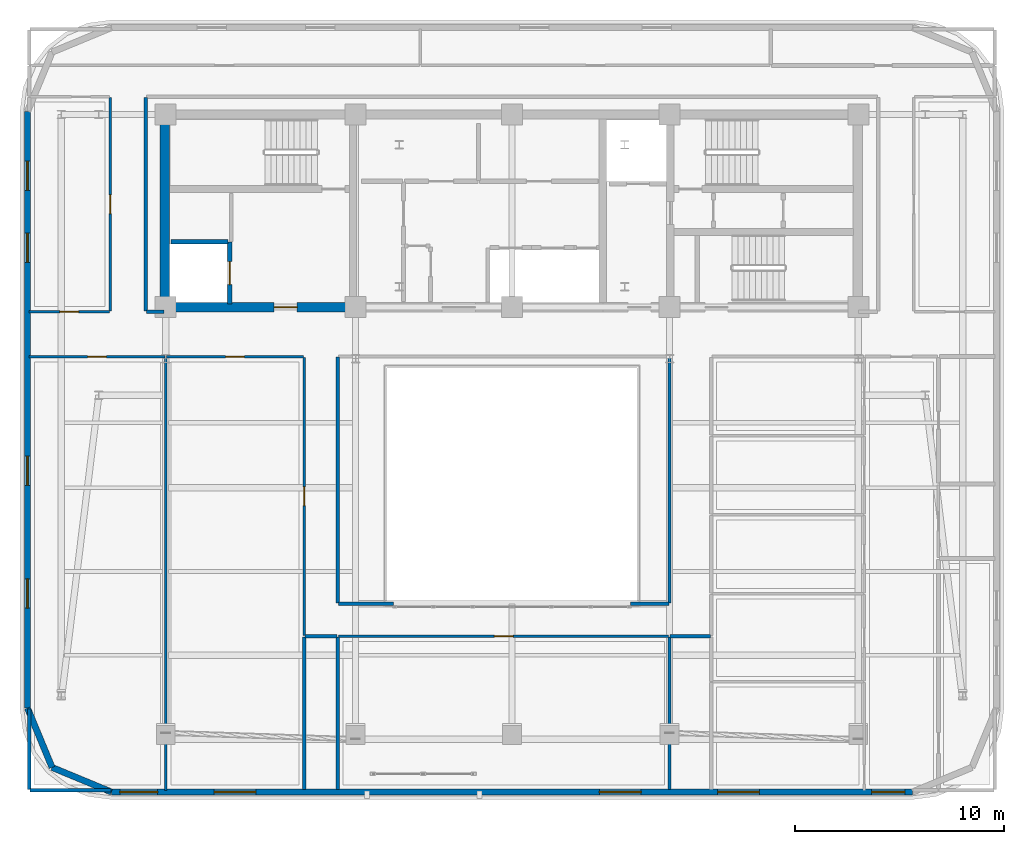
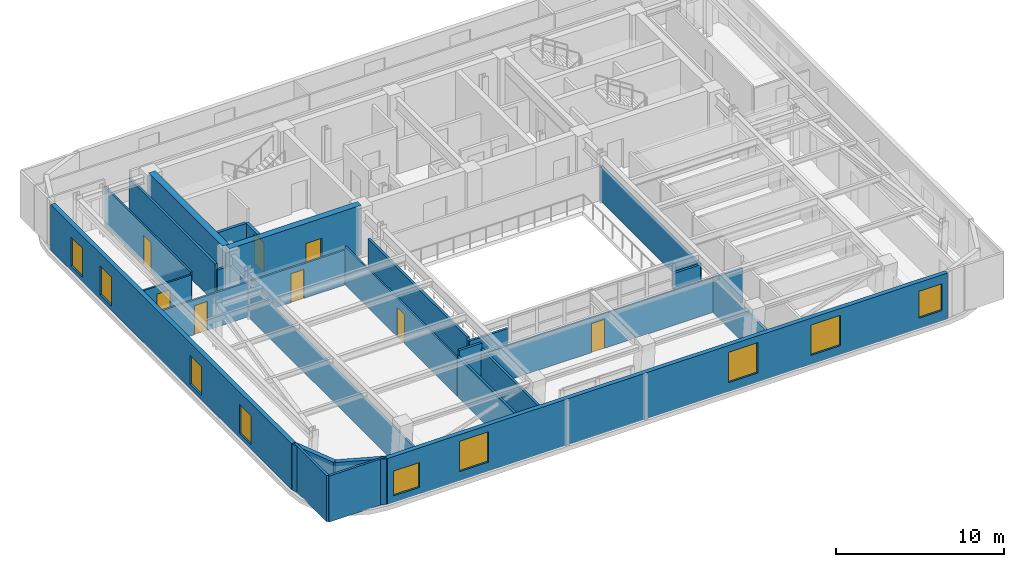
# One storey, part 6 of 13: 28 walls, 9 windows, 8 doors, 17 openings.
"""IFC4 building model written with IfcOpenShell, lengths in metres."""

from ifc_helpers import new_model, si_unit, direction, frame, frame_2d, origin, place, context, subcontext, project, spatial, rectangle, extrude, material, layer, layer_set, type_object, element, fill, save


model = new_model("IFC4")

# Units and contexts
model_context = context("Model", 3, precision=1e-05, world=origin(), true_north=direction((0.0, 1.0)))
body_context = subcontext(model_context, "Body", "Model", "MODEL_VIEW")
ifc_project = project(units=[si_unit("LENGTHUNIT", "METRE"), si_unit("AREAUNIT", "SQUARE_METRE"), si_unit("VOLUMEUNIT", "CUBIC_METRE"), si_unit("PLANEANGLEUNIT", "RADIAN"), si_unit("MASSUNIT", "GRAM", prefix="KILO")], contexts=[model_context])

# Site, building, storey
site_placement = place(None, origin())
site = spatial("IfcSite", under=ifc_project, at=site_placement, CompositionType="ELEMENT")
building_placement = place(site_placement, origin())
building = spatial("IfcBuilding", under=site, at=building_placement, Name="Zarnavel Station Tower", CompositionType="ELEMENT")
storey_placement = place(building_placement, frame((0.0, 0.0, 207.60009765625)))
storey = spatial("IfcBuildingStorey", under=building, at=storey_placement, Name="L56", CompositionType="ELEMENT", Elevation=207.60009765625)

# Wall, opening, door
ifc_material_1 = material(Name="Concrete C50/60", Category="concrete")
ifc_layer_1 = layer(ifc_material_1, 0.449951171875)
ifc_layer_set_1 = layer_set([ifc_layer_1], Name="CW_450")
wall_type_1 = type_object("IfcWallType", Name="CW_450", PredefinedType="SHEAR", material=ifc_layer_set_1)
wall_1_placement = place(storey_placement, frame((21.179931640625, 27.820068359375, 0.0), z_axis=(0.0, 0.0, 1.0), x_axis=(-1.0, 0.0, 0.0)))
wall_1 = element("IfcWall", 1, at=wall_1_placement, inside=storey, type_object=wall_type_1, Name="L56 Rear Core Shear Wall S-W", PredefinedType="SHEAR", context=body_context, shape_type="SweptSolid", body=[
    extrude(rectangle(XDim=9.030029296875, YDim=0.449951171875, at=frame_2d((4.51513671875, 0.0))), origin(), (0.0, 0.0, 1.0), 3.599853515625),
])
opening_1_placement = place(wall_1_placement, frame((2.679931640625, 0.0, 0.0)))
opening_1 = element("IfcOpeningElement", 2, at=opening_1_placement, cuts=wall_1, Name="Opening FD01", PredefinedType="OPENING", context=body_context, shape_type="SweptSolid", body=[
    extrude(rectangle(XDim=1.10009765625, YDim=2.14990234375, at=frame_2d((0.550048828125, 1.074951171875))), frame((0.0, 0.23486328125, 0.0), z_axis=(0.0, -1.0, 0.0), x_axis=(1.0, 0.0, 0.0)), (0.0, 0.0, 1.0), 0.469970703125),
])
ifc_material_2 = material(Name="Painted Galvanised Steel and Hardwood Leaf", Category="steel")
door_type_1 = type_object("IfcDoorType", Name="ID_STAIR_1100", OperationType="NOTDEFINED", PredefinedType="DOOR", material=ifc_material_2)
door_1_placement = place(opening_1_placement, origin())
door_1 = element("IfcDoor", 3, at=door_1_placement, inside=storey, type_object=door_type_1, Name="L56 West Firefighting Lobby Door", OperationType="SINGLE_SWING_RIGHT", OverallHeight=2.14990234375, OverallWidth=1.10009765625, PredefinedType="DOOR", context=body_context, shape_type="SweptSolid", body=[
    extrude(rectangle(XDim=1.10009765625, YDim=2.14990234375, at=frame_2d((0.550048828125, 1.074951171875))), frame((0.0, 0.02490234375, 0.0), z_axis=(0.0, -1.0, 0.0), x_axis=(1.0, 0.0, 0.0)), (0.0, 0.0, 1.0), 0.050048828125),
])
fill(opening_1, door_1)

# Wall
wall_2_placement = place(storey_placement, frame((12.14990234375, 28.044921875, 0.0), z_axis=(0.0, 0.0, 1.0), x_axis=(0.0, 1.0, 0.0)))
element("IfcWall", 4, at=wall_2_placement, inside=storey, type_object=wall_type_1, Name="L56 Rear Core Shear Wall W", PredefinedType="SHEAR", context=body_context, shape_type="SweptSolid", body=[
    extrude(rectangle(XDim=8.780029296875, YDim=0.449951171875, at=frame_2d((4.39013671875, 0.0))), origin(), (0.0, 0.0, 1.0), 3.599853515625),
])

# Wall, openings, windows
ifc_material_3 = material(Name="Precast concrete C45/55 (Dark Basalt Finish)", Category="masonry")
ifc_layer_2 = layer(ifc_material_3, 0.300048828125)
ifc_layer_set_2 = layer_set([ifc_layer_2], Name="EW_BASALT_300")
wall_type_2 = type_object("IfcWallType", Name="EW_BASALT_300", PredefinedType="SOLIDWALL", material=ifc_layer_set_2)
wall_3_placement = place(storey_placement, frame((5.580078125, 8.60009765625, 0.0), z_axis=(0.0, 0.0, 1.0), x_axis=(0.0, 1.0, 0.0)))
wall_3 = element("IfcWall", 5, at=wall_3_placement, inside=storey, type_object=wall_type_2, Name="L56 Exterior Basalt Masonry Frame Wall 09", PredefinedType="SOLIDWALL", context=body_context, shape_type="SweptSolid", body=[
    extrude(rectangle(XDim=28.599853515625, YDim=0.300048828125, at=frame_2d((14.2998046875, 0.0))), origin(), (0.0, 0.0, 1.0), 3.33984375),
])
opening_2_placement = place(wall_3_placement, frame((21.360107421875, 0.0, 0.340087890625)))
opening_2 = element("IfcOpeningElement", 6, at=opening_2_placement, cuts=wall_3, Name="Opening WN04", PredefinedType="OPENING", context=body_context, shape_type="SweptSolid", body=[
    extrude(rectangle(XDim=1.39990234375, YDim=2.10009765625, at=frame_2d((0.699951171875, 1.050048828125))), frame((0.0, 0.159912109375, 0.0), z_axis=(0.0, -1.0, 0.0), x_axis=(1.0, 0.0, 0.0)), (0.0, 0.0, 1.0), 0.320068359375),
])
opening_3_placement = place(wall_3_placement, frame((24.820068359375, 0.0, 0.340087890625)))
opening_3 = element("IfcOpeningElement", 7, at=opening_3_placement, cuts=wall_3, Name="Opening WN04", PredefinedType="OPENING", context=body_context, shape_type="SweptSolid", body=[
    extrude(rectangle(XDim=1.39990234375, YDim=2.10009765625, at=frame_2d((0.699951171875, 1.050048828125))), frame((0.0, 0.159912109375, 0.0), z_axis=(0.0, -1.0, 0.0), x_axis=(1.0, 0.0, 0.0)), (0.0, 0.0, 1.0), 0.320068359375),
])
opening_4_placement = place(wall_3_placement, frame((4.796630859375, 0.0, 0.340087890625)))
opening_4 = element("IfcOpeningElement", 8, at=opening_4_placement, cuts=wall_3, Name="Opening WN04", PredefinedType="OPENING", context=body_context, shape_type="SweptSolid", body=[
    extrude(rectangle(XDim=1.39990234375, YDim=2.10009765625, at=frame_2d((0.699951171875, 1.050048828125))), frame((0.0, 0.159912109375, 0.0), z_axis=(0.0, -1.0, 0.0), x_axis=(1.0, 0.0, 0.0)), (0.0, 0.0, 1.0), 0.320068359375),
])
opening_5_placement = place(wall_3_placement, frame((10.67333984375, 0.0, 0.340087890625)))
opening_5 = element("IfcOpeningElement", 9, at=opening_5_placement, cuts=wall_3, Name="Opening WN04", PredefinedType="OPENING", context=body_context, shape_type="SweptSolid", body=[
    extrude(rectangle(XDim=1.39990234375, YDim=2.10009765625, at=frame_2d((0.699951171875, 1.050048828125))), frame((0.0, 0.159912109375, 0.0), z_axis=(0.0, -1.0, 0.0), x_axis=(1.0, 0.0, 0.0)), (0.0, 0.0, 1.0), 0.320068359375),
])
ifc_material_4 = material(Name="Thermally Broken Black Aluminium and Low-E Dark Glass", Category="aluminium")
window_type_1 = type_object("IfcWindowType", Name="WN_1400x2100", PartitioningType="DOUBLE_PANEL_VERTICAL", PredefinedType="WINDOW", material=ifc_material_4)
window_1_placement = place(opening_2_placement, origin())
window_1 = element("IfcWindow", 10, at=window_1_placement, inside=storey, type_object=window_type_1, Name="L56 Recessed Facade Window 01", OverallHeight=2.10009765625, OverallWidth=1.39990234375, PartitioningType="SINGLE_PANEL", PredefinedType="WINDOW", context=body_context, shape_type="SweptSolid", body=[
    extrude(rectangle(XDim=1.39990234375, YDim=2.10009765625, at=frame_2d((0.699951171875, 1.050048828125))), frame((0.0, 0.030029296875, 0.0), z_axis=(0.0, -1.0, 0.0), x_axis=(1.0, 0.0, 0.0)), (0.0, 0.0, 1.0), 0.06005859375),
])
fill(opening_2, window_1)
window_2_placement = place(opening_3_placement, origin())
window_2 = element("IfcWindow", 11, at=window_2_placement, inside=storey, type_object=window_type_1, Name="L56 Recessed Facade Window 02", OverallHeight=2.10009765625, OverallWidth=1.39990234375, PartitioningType="SINGLE_PANEL", PredefinedType="WINDOW", context=body_context, shape_type="SweptSolid", body=[
    extrude(rectangle(XDim=1.39990234375, YDim=2.10009765625, at=frame_2d((0.699951171875, 1.050048828125))), frame((0.0, 0.030029296875, 0.0), z_axis=(0.0, -1.0, 0.0), x_axis=(1.0, 0.0, 0.0)), (0.0, 0.0, 1.0), 0.06005859375),
])
fill(opening_3, window_2)
window_3_placement = place(opening_4_placement, origin())
window_3 = element("IfcWindow", 12, at=window_3_placement, inside=storey, type_object=window_type_1, Name="L56 Recessed Facade Window 03", OverallHeight=2.10009765625, OverallWidth=1.39990234375, PartitioningType="SINGLE_PANEL", PredefinedType="WINDOW", context=body_context, shape_type="SweptSolid", body=[
    extrude(rectangle(XDim=1.39990234375, YDim=2.10009765625, at=frame_2d((0.699951171875, 1.050048828125))), frame((0.0, 0.030029296875, 0.0), z_axis=(0.0, -1.0, 0.0), x_axis=(1.0, 0.0, 0.0)), (0.0, 0.0, 1.0), 0.06005859375),
])
fill(opening_4, window_3)
window_4_placement = place(opening_5_placement, origin())
window_4 = element("IfcWindow", 13, at=window_4_placement, inside=storey, type_object=window_type_1, Name="L56 Recessed Facade Window 04", OverallHeight=2.10009765625, OverallWidth=1.39990234375, PartitioningType="SINGLE_PANEL", PredefinedType="WINDOW", context=body_context, shape_type="SweptSolid", body=[
    extrude(rectangle(XDim=1.39990234375, YDim=2.10009765625, at=frame_2d((0.699951171875, 1.050048828125))), frame((0.0, 0.030029296875, 0.0), z_axis=(0.0, -1.0, 0.0), x_axis=(1.0, 0.0, 0.0)), (0.0, 0.0, 1.0), 0.06005859375),
])
fill(opening_5, window_4)

# Walls
for number, where, z_axis, x_axis, name in (
    (14, (6.75732421875, 5.75732421875, 0.0), (0.0, 0.0, 1.0), (-0.382608747773, 0.923910464346, 0.0), "L56 Exterior Basalt Masonry Frame Wall 10"),
    (15, (9.60009765625, 4.580078125, 0.0), (0.0, 0.0, 1.0), (-0.923910464346, 0.382608747773, 0.0), "L56 Exterior Basalt Masonry Frame Wall 11"),
):
    element("IfcWall", number, at=place(storey_placement, frame(where, z_axis=z_axis, x_axis=x_axis)), inside=storey, type_object=wall_type_2, Name=name, PredefinedType="SOLIDWALL", context=body_context, shape_type="SweptSolid", body=[
        extrude(rectangle(XDim=3.076904296875, YDim=0.300048828125, at=frame_2d((1.53857421875, 0.0))), origin(), (0.0, 0.0, 1.0), 3.33984375),
    ])

# Wall, openings, windows
wall_4_placement = place(storey_placement, frame((48.0, 4.580078125, 0.0), z_axis=(0.0, 0.0, 1.0), x_axis=(-1.0, 0.0, 0.0)))
wall_4 = element("IfcWall", 16, at=wall_4_placement, inside=storey, type_object=wall_type_2, Name="L56 Exterior Basalt Masonry Frame Wall 12", PredefinedType="SOLIDWALL", context=body_context, shape_type="SweptSolid", body=[
    extrude(rectangle(XDim=38.39990234375, YDim=0.300048828125, at=frame_2d((19.199951171875, 0.0))), origin(), (0.0, 0.0, 1.0), 3.33984375),
])
opening_6_placement = place(wall_4_placement, frame((36.18994140625, 0.0, 0.47998046875)))
opening_6 = element("IfcOpeningElement", 17, at=opening_6_placement, cuts=wall_4, Name="Opening WN02", PredefinedType="OPENING", context=body_context, shape_type="SweptSolid", body=[
    extrude(rectangle(XDim=1.800048828125, YDim=1.800048828125, at=frame_2d((0.89990234375, 0.89990234375))), frame((0.0, 0.159912109375, 0.0), z_axis=(0.0, -1.0, 0.0), x_axis=(1.0, 0.0, 0.0)), (0.0, 0.0, 1.0), 0.320068359375),
])
opening_7_placement = place(wall_4_placement, frame((31.47509765625, 0.0, 0.64990234375)))
opening_7 = element("IfcOpeningElement", 18, at=opening_7_placement, cuts=wall_4, Name="Opening WN07", PredefinedType="OPENING", context=body_context, shape_type="SweptSolid", body=[
    extrude(rectangle(XDim=2.0, YDim=2.199951171875, at=frame_2d((1.0, 1.10009765625))), frame((0.0, 0.159912109375, 0.0), z_axis=(0.0, -1.0, 0.0), x_axis=(1.0, 0.0, 0.0)), (0.0, 0.0, 1.0), 0.320068359375),
])
opening_8_placement = place(wall_4_placement, frame((13.013916015625, 0.0, 0.64990234375)))
opening_8 = element("IfcOpeningElement", 19, at=opening_8_placement, cuts=wall_4, Name="Opening WN07", PredefinedType="OPENING", context=body_context, shape_type="SweptSolid", body=[
    extrude(rectangle(XDim=2.0, YDim=2.199951171875, at=frame_2d((1.0, 1.10009765625))), frame((0.0, 0.159912109375, 0.0), z_axis=(0.0, -1.0, 0.0), x_axis=(1.0, 0.0, 0.0)), (0.0, 0.0, 1.0), 0.320068359375),
])
opening_9_placement = place(wall_4_placement, frame((0.369384765625, 0.0, 0.75)))
opening_9 = element("IfcOpeningElement", 20, at=opening_9_placement, cuts=wall_4, Name="Opening WN06", PredefinedType="OPENING", context=body_context, shape_type="SweptSolid", body=[
    extrude(rectangle(XDim=1.60009765625, YDim=1.949951171875, at=frame_2d((0.800048828125, 0.97509765625))), frame((0.0, 0.159912109375, 0.0), z_axis=(0.0, -1.0, 0.0), x_axis=(1.0, 0.0, 0.0)), (0.0, 0.0, 1.0), 0.320068359375),
])
opening_10_placement = place(wall_4_placement, frame((7.35009765625, 0.0, 0.64990234375)))
opening_10 = element("IfcOpeningElement", 21, at=opening_10_placement, cuts=wall_4, Name="Opening WN07", PredefinedType="OPENING", context=body_context, shape_type="SweptSolid", body=[
    extrude(rectangle(XDim=2.0, YDim=2.199951171875, at=frame_2d((1.0, 1.10009765625))), frame((0.0, 0.159912109375, 0.0), z_axis=(0.0, -1.0, 0.0), x_axis=(1.0, 0.0, 0.0)), (0.0, 0.0, 1.0), 0.320068359375),
])
ifc_material_5 = material(Name="Thermally Broken Black Aluminium and Low-E Dark Glass", Category="aluminium")
window_type_2 = type_object("IfcWindowType", Name="WN_1600x1950", PartitioningType="DOUBLE_PANEL_VERTICAL", PredefinedType="WINDOW", material=ifc_material_5)
window_5_placement = place(opening_9_placement, origin())
window_5 = element("IfcWindow", 22, at=window_5_placement, inside=storey, type_object=window_type_2, Name="L56 Recessed Facade Window 04", OverallHeight=1.949951171875, OverallWidth=1.60009765625, PartitioningType="SINGLE_PANEL", PredefinedType="WINDOW", context=body_context, shape_type="SweptSolid", body=[
    extrude(rectangle(XDim=1.60009765625, YDim=1.949951171875, at=frame_2d((0.800048828125, 0.97509765625))), frame((0.0, 0.030029296875, 0.0), z_axis=(0.0, -1.0, 0.0), x_axis=(1.0, 0.0, 0.0)), (0.0, 0.0, 1.0), 0.06005859375),
])
fill(opening_9, window_5)
ifc_material_6 = material(Name="Thermally Broken Black Aluminium and Low-E Dark Glass", Category="aluminium")
window_type_3 = type_object("IfcWindowType", Name="WN_1800x1800", PartitioningType="DOUBLE_PANEL_VERTICAL", PredefinedType="WINDOW", material=ifc_material_6)
window_6_placement = place(opening_6_placement, origin())
window_6 = element("IfcWindow", 23, at=window_6_placement, inside=storey, type_object=window_type_3, Name="L56 Recessed Facade Window 01", OverallHeight=1.800048828125, OverallWidth=1.800048828125, PartitioningType="SINGLE_PANEL", PredefinedType="WINDOW", context=body_context, shape_type="SweptSolid", body=[
    extrude(rectangle(XDim=1.800048828125, YDim=1.800048828125, at=frame_2d((0.89990234375, 0.89990234375))), frame((0.0, 0.030029296875, 0.0), z_axis=(0.0, -1.0, 0.0), x_axis=(1.0, 0.0, 0.0)), (0.0, 0.0, 1.0), 0.06005859375),
])
fill(opening_6, window_6)
ifc_material_7 = material(Name="Thermally Broken Black Aluminium and Low-E Dark Glass", Category="aluminium")
window_type_4 = type_object("IfcWindowType", Name="WN_2000x2200", PartitioningType="TRIPLE_PANEL_VERTICAL", PredefinedType="WINDOW", material=ifc_material_7)
window_7_placement = place(opening_7_placement, origin())
window_7 = element("IfcWindow", 24, at=window_7_placement, inside=storey, type_object=window_type_4, Name="L56 Recessed Facade Window 02", OverallHeight=2.199951171875, OverallWidth=2.0, PartitioningType="SINGLE_PANEL", PredefinedType="WINDOW", context=body_context, shape_type="SweptSolid", body=[
    extrude(rectangle(XDim=2.0, YDim=2.199951171875, at=frame_2d((1.0, 1.10009765625))), frame((0.0, 0.030029296875, 0.0), z_axis=(0.0, -1.0, 0.0), x_axis=(1.0, 0.0, 0.0)), (0.0, 0.0, 1.0), 0.06005859375),
])
fill(opening_7, window_7)
window_8_placement = place(opening_8_placement, origin())
window_8 = element("IfcWindow", 25, at=window_8_placement, inside=storey, type_object=window_type_4, Name="L56 Recessed Facade Window 03", OverallHeight=2.199951171875, OverallWidth=2.0, PartitioningType="SINGLE_PANEL", PredefinedType="WINDOW", context=body_context, shape_type="SweptSolid", body=[
    extrude(rectangle(XDim=2.0, YDim=2.199951171875, at=frame_2d((1.0, 1.10009765625))), frame((0.0, 0.030029296875, 0.0), z_axis=(0.0, -1.0, 0.0), x_axis=(1.0, 0.0, 0.0)), (0.0, 0.0, 1.0), 0.06005859375),
])
fill(opening_8, window_8)
window_9_placement = place(opening_10_placement, origin())
window_9 = element("IfcWindow", 26, at=window_9_placement, inside=storey, type_object=window_type_4, Name="L56 Recessed Facade Window 05", OverallHeight=2.199951171875, OverallWidth=2.0, PartitioningType="SINGLE_PANEL", PredefinedType="WINDOW", context=body_context, shape_type="SweptSolid", body=[
    extrude(rectangle(XDim=2.0, YDim=2.199951171875, at=frame_2d((1.0, 1.10009765625))), frame((0.0, 0.030029296875, 0.0), z_axis=(0.0, -1.0, 0.0), x_axis=(1.0, 0.0, 0.0)), (0.0, 0.0, 1.0), 0.06005859375),
])
fill(opening_10, window_9)

# Walls
ifc_material_8 = material(Name="Gypsum Twin-Stud Acoustic Fire Partition", Category="concrete")
ifc_layer_3 = layer(ifc_material_8, 0.159912109375)
ifc_layer_set_3 = layer_set([ifc_layer_3], Name="PT_DEMISE_160")
wall_type_3 = type_object("IfcWallType", Name="PT_DEMISE_160", PredefinedType="PARTITIONING", material=ifc_layer_set_3)
wall_5_placement = place(storey_placement, frame((11.280029296875, 27.60009765625, 0.0), z_axis=(0.0, 0.0, 1.0), x_axis=(1.0, 0.0, 0.0)))
element("IfcWall", 27, at=wall_5_placement, inside=storey, type_object=wall_type_3, Name="L56 Enclosure Wall COR-S", PredefinedType="PARTITIONING", context=body_context, shape_type="SweptSolid", body=[
    extrude(rectangle(XDim=0.840087890625, YDim=0.159912109375, at=frame_2d((0.419921875, 0.0))), origin(), (0.0, 0.0, 1.0), 2.409912109375),
])
wall_6_placement = place(storey_placement, frame((18.8798828125, 12.050048828125, 0.0), z_axis=(0.0, 0.0, 1.0), x_axis=(1.0, 0.0, 0.0)))
element("IfcWall", 28, at=wall_6_placement, inside=storey, type_object=wall_type_3, Name="L56 Enclosure Wall COR-AW", PredefinedType="PARTITIONING", context=body_context, shape_type="SweptSolid", body=[
    extrude(rectangle(XDim=1.5400390625, YDim=0.159912109375, at=frame_2d((0.77001953125, 0.0))), origin(), (0.0, 0.0, 1.0), 3.33984375),
])
wall_7_placement = place(storey_placement, frame((20.449951171875, 13.6298828125, 0.0), z_axis=(0.0, 0.0, 1.0), x_axis=(0.0, 1.0, 0.0)))
element("IfcWall", 29, at=wall_7_placement, inside=storey, type_object=wall_type_3, Name="L56 Enclosure Wall COR-AW", PredefinedType="PARTITIONING", context=body_context, shape_type="SweptSolid", body=[
    extrude(rectangle(XDim=11.7900390625, YDim=0.159912109375, at=frame_2d((5.89501953125, 0.0))), origin(), (0.0, 0.0, 1.0), 2.77001953125),
])
wall_8_placement = place(storey_placement, frame((36.3798828125, 12.050048828125, 0.0), z_axis=(0.0, 0.0, 1.0), x_axis=(1.0, 0.0, 0.0)))
element("IfcWall", 30, at=wall_8_placement, inside=storey, type_object=wall_type_3, Name="L56 Enclosure Wall COR-AE", PredefinedType="PARTITIONING", context=body_context, shape_type="SweptSolid", body=[
    extrude(rectangle(XDim=1.940185546875, YDim=0.159912109375, at=frame_2d((0.97021484375, 0.0))), origin(), (0.0, 0.0, 1.0), 2.52001953125),
])
wall_9_placement = place(storey_placement, frame((36.35009765625, 13.6298828125, 0.0), z_axis=(0.0, 0.0, 1.0), x_axis=(0.0, 1.0, 0.0)))
element("IfcWall", 31, at=wall_9_placement, inside=storey, type_object=wall_type_3, Name="L56 Enclosure Wall COR-AE", PredefinedType="PARTITIONING", context=body_context, shape_type="SweptSolid", body=[
    extrude(rectangle(XDim=11.7900390625, YDim=0.159912109375, at=frame_2d((5.89501953125, 0.0))), origin(), (0.0, 0.0, 1.0), 2.52001953125),
])
wall_10_placement = place(storey_placement, frame((20.47998046875, 13.60009765625, 0.0), z_axis=(0.0, 0.0, 1.0), x_axis=(1.0, 0.0, 0.0)))
element("IfcWall", 32, at=wall_10_placement, inside=storey, type_object=wall_type_3, Name="L56 Enclosure Wall COR-AS", PredefinedType="PARTITIONING", context=body_context, shape_type="SweptSolid", body=[
    extrude(rectangle(XDim=2.64013671875, YDim=0.159912109375, at=frame_2d((1.320068359375, 0.0))), origin(), (0.0, 0.0, 1.0), 2.52001953125),
])
wall_11_placement = place(storey_placement, frame((34.47998046875, 13.60009765625, 0.0), z_axis=(0.0, 0.0, 1.0), x_axis=(1.0, 0.0, 0.0)))
element("IfcWall", 33, at=wall_11_placement, inside=storey, type_object=wall_type_3, Name="L56 Enclosure Wall COR-AS", PredefinedType="PARTITIONING", context=body_context, shape_type="SweptSolid", body=[
    extrude(rectangle(XDim=1.840087890625, YDim=0.159912109375, at=frame_2d((0.919921875, 0.0))), origin(), (0.0, 0.0, 1.0), 2.52001953125),
])
wall_12_placement = place(storey_placement, frame((11.25, 27.6298828125, 0.0), z_axis=(0.0, 0.0, 1.0), x_axis=(0.0, 1.0, 0.0)))
element("IfcWall", 34, at=wall_12_placement, inside=storey, type_object=wall_type_3, Name="L56 Enclosure Wall COR-W", PredefinedType="PARTITIONING", context=body_context, shape_type="SweptSolid", body=[
    extrude(rectangle(XDim=10.240234375, YDim=0.159912109375, at=frame_2d((5.1201171875, 0.0))), origin(), (0.0, 0.0, 1.0), 2.81982421875),
])
for number, where, z_axis, x_axis, name in (
    (35, (5.68994140625, 4.659912109375, 0.0), (0.0, 0.0, 1.0), (1.0, 0.0, 0.0), "L56 Enclosure Wall L55CIN"),
    (36, (5.659912109375, 4.68994140625, 0.0), (0.0, 0.0, 1.0), (0.0, 1.0, 0.0), "L56 Enclosure Wall L55CIN"),
):
    element("IfcWall", number, at=place(storey_placement, frame(where, z_axis=z_axis, x_axis=x_axis)), inside=storey, type_object=wall_type_3, Name=name, PredefinedType="PARTITIONING", context=body_context, shape_type="SweptSolid", body=[
        extrude(rectangle(XDim=3.880126953125, YDim=0.159912109375, at=frame_2d((1.93994140625, 0.0))), origin(), (0.0, 0.0, 1.0), 3.33984375),
    ])
for number, where, z_axis, x_axis, name in (
    (37, (18.85009765625, 4.68994140625, 0.0), (0.0, 0.0, 1.0), (0.0, 1.0, 0.0), "L56 Enclosure Wall L55MUS"),
    (38, (20.449951171875, 4.68994140625, 0.0), (0.0, 0.0, 1.0), (0.0, 1.0, 0.0), "L56 Enclosure Wall L55TEA"),
):
    element("IfcWall", number, at=place(storey_placement, frame(where, z_axis=z_axis, x_axis=x_axis)), inside=storey, type_object=wall_type_3, Name=name, PredefinedType="PARTITIONING", context=body_context, shape_type="SweptSolid", body=[
        extrude(rectangle(XDim=7.330078125, YDim=0.159912109375, at=frame_2d((3.6650390625, 0.0))), origin(), (0.0, 0.0, 1.0), 2.929931640625),
    ])
wall_13_placement = place(storey_placement, frame((36.35009765625, 4.68994140625, 0.0), z_axis=(0.0, 0.0, 1.0), x_axis=(0.0, 1.0, 0.0)))
element("IfcWall", 39, at=wall_13_placement, inside=storey, type_object=wall_type_3, Name="L56 Enclosure Wall L55TEA", PredefinedType="PARTITIONING", context=body_context, shape_type="SweptSolid", body=[
    extrude(rectangle(XDim=7.330078125, YDim=0.159912109375, at=frame_2d((3.6650390625, 0.0))), origin(), (0.0, 0.0, 1.0), 2.52001953125),
])

# Wall, opening, door
ifc_material_9 = material(Name="Gypsum Metal-Stud Interior Partition", Category="concrete")
ifc_layer_4 = layer(ifc_material_9, 0.1201171875)
ifc_layer_set_4 = layer_set([ifc_layer_4], Name="PT_ROOM_120")
wall_type_4 = type_object("IfcWallType", Name="PT_ROOM_120", PredefinedType="PARTITIONING", material=ifc_layer_set_4)
wall_14_placement = place(storey_placement, frame((5.659912109375, 27.60009765625, 0.0), z_axis=(0.0, 0.0, 1.0), x_axis=(1.0, 0.0, 0.0)))
wall_14 = element("IfcWall", 40, at=wall_14_placement, inside=storey, type_object=wall_type_4, Name="L56 Partition COR-S-FNW", PredefinedType="PARTITIONING", context=body_context, shape_type="SweptSolid", body=[
    extrude(rectangle(XDim=3.85009765625, YDim=0.1201171875, at=frame_2d((1.925048828125, 0.0))), origin(), (0.0, 0.0, 1.0), 2.669921875),
])
opening_11_placement = place(wall_14_placement, frame((1.47509765625, 0.0, 0.0)))
opening_11 = element("IfcOpeningElement", 41, at=opening_11_placement, cuts=wall_14, Name="Opening ID01", PredefinedType="OPENING", context=body_context, shape_type="SweptSolid", body=[
    extrude(rectangle(XDim=0.89990234375, YDim=2.10009765625, at=frame_2d((0.449951171875, 1.050048828125))), frame((0.0, 0.070068359375, 0.0), z_axis=(0.0, -1.0, 0.0), x_axis=(1.0, 0.0, 0.0)), (0.0, 0.0, 1.0), 0.14013671875),
])
ifc_material_10 = material(Name="Painted Galvanised Steel and Hardwood Leaf", Category="steel")
door_type_2 = type_object("IfcDoorType", Name="ID_ROOM_900", OperationType="NOTDEFINED", PredefinedType="DOOR", material=ifc_material_10)
door_2_placement = place(opening_11_placement, origin())
door_2 = element("IfcDoor", 42, at=door_2_placement, inside=storey, type_object=door_type_2, Name="L56 Door COR-S-FNW", OperationType="SINGLE_SWING_LEFT", OverallHeight=2.10009765625, OverallWidth=0.89990234375, PredefinedType="DOOR", context=body_context, shape_type="SweptSolid", body=[
    extrude(rectangle(XDim=0.89990234375, YDim=2.10009765625, at=frame_2d((0.449951171875, 1.050048828125))), frame((0.0, 0.02490234375, 0.0), z_axis=(0.0, -1.0, 0.0), x_axis=(1.0, 0.0, 0.0)), (0.0, 0.0, 1.0), 0.050048828125),
])
fill(opening_11, door_2)

wall_15_placement = place(storey_placement, frame((5.659912109375, 25.449951171875, 0.0), z_axis=(0.0, 0.0, 1.0), x_axis=(1.0, 0.0, 0.0)))
wall_15 = element("IfcWall", 43, at=wall_15_placement, inside=storey, type_object=wall_type_4, Name="L56 Partition COR-S-L55CIN", PredefinedType="PARTITIONING", context=body_context, shape_type="SweptSolid", body=[
    extrude(rectangle(XDim=6.5, YDim=0.1201171875, at=frame_2d((3.25, 0.0))), origin(), (0.0, 0.0, 1.0), 2.52001953125),
])
opening_12_placement = place(wall_15_placement, frame((2.800048828125, 0.0, 0.0)))
opening_12 = element("IfcOpeningElement", 44, at=opening_12_placement, cuts=wall_15, Name="Opening ID01", PredefinedType="OPENING", context=body_context, shape_type="SweptSolid", body=[
    extrude(rectangle(XDim=0.89990234375, YDim=2.10009765625, at=frame_2d((0.449951171875, 1.050048828125))), frame((0.0, 0.070068359375, 0.0), z_axis=(0.0, -1.0, 0.0), x_axis=(1.0, 0.0, 0.0)), (0.0, 0.0, 1.0), 0.14013671875),
])
door_3_placement = place(opening_12_placement, origin())
door_3 = element("IfcDoor", 45, at=door_3_placement, inside=storey, type_object=door_type_2, Name="L56 Door COR-S-L55CIN", OperationType="SINGLE_SWING_LEFT", OverallHeight=2.10009765625, OverallWidth=0.89990234375, PredefinedType="DOOR", context=body_context, shape_type="SweptSolid", body=[
    extrude(rectangle(XDim=0.89990234375, YDim=2.10009765625, at=frame_2d((0.449951171875, 1.050048828125))), frame((0.0, 0.02490234375, 0.0), z_axis=(0.0, -1.0, 0.0), x_axis=(1.0, 0.0, 0.0)), (0.0, 0.0, 1.0), 0.050048828125),
])
fill(opening_12, door_3)

wall_16_placement = place(storey_placement, frame((12.239990234375, 25.449951171875, 0.0), z_axis=(0.0, 0.0, 1.0), x_axis=(1.0, 0.0, 0.0)))
wall_16 = element("IfcWall", 46, at=wall_16_placement, inside=storey, type_object=wall_type_4, Name="L56 Partition COR-S-L55MUS", PredefinedType="PARTITIONING", context=body_context, shape_type="SweptSolid", body=[
    extrude(rectangle(XDim=6.570068359375, YDim=0.1201171875, at=frame_2d((3.28515625, 0.0))), origin(), (0.0, 0.0, 1.0), 2.52001953125),
])
opening_13_placement = place(wall_16_placement, frame((2.8349609375, 0.0, 0.0)))
opening_13 = element("IfcOpeningElement", 47, at=opening_13_placement, cuts=wall_16, Name="Opening ID01", PredefinedType="OPENING", context=body_context, shape_type="SweptSolid", body=[
    extrude(rectangle(XDim=0.89990234375, YDim=2.10009765625, at=frame_2d((0.449951171875, 1.050048828125))), frame((0.0, 0.070068359375, 0.0), z_axis=(0.0, -1.0, 0.0), x_axis=(1.0, 0.0, 0.0)), (0.0, 0.0, 1.0), 0.14013671875),
])
door_4_placement = place(opening_13_placement, origin())
door_4 = element("IfcDoor", 48, at=door_4_placement, inside=storey, type_object=door_type_2, Name="L56 Door COR-S-L55MUS", OperationType="SINGLE_SWING_RIGHT", OverallHeight=2.10009765625, OverallWidth=0.89990234375, PredefinedType="DOOR", context=body_context, shape_type="SweptSolid", body=[
    extrude(rectangle(XDim=0.89990234375, YDim=2.10009765625, at=frame_2d((0.449951171875, 1.050048828125))), frame((0.0, 0.02490234375, 0.0), z_axis=(0.0, -1.0, 0.0), x_axis=(1.0, 0.0, 0.0)), (0.0, 0.0, 1.0), 0.050048828125),
])
fill(opening_13, door_4)

wall_17_placement = place(storey_placement, frame((18.85009765625, 12.090087890625, 0.0), z_axis=(0.0, 0.0, 1.0), x_axis=(0.0, 1.0, 0.0)))
wall_17 = element("IfcWall", 49, at=wall_17_placement, inside=storey, type_object=wall_type_4, Name="L56 Partition COR-AW-L55MUS", PredefinedType="PARTITIONING", context=body_context, shape_type="SweptSolid", body=[
    extrude(rectangle(XDim=13.31982421875, YDim=0.1201171875, at=frame_2d((6.659912109375, 0.0))), origin(), (0.0, 0.0, 1.0), 2.77001953125),
])
opening_14_placement = place(wall_17_placement, frame((6.2099609375, 0.0, 0.0)))
opening_14 = element("IfcOpeningElement", 50, at=opening_14_placement, cuts=wall_17, Name="Opening ID01", PredefinedType="OPENING", context=body_context, shape_type="SweptSolid", body=[
    extrude(rectangle(XDim=0.89990234375, YDim=2.10009765625, at=frame_2d((0.449951171875, 1.050048828125))), frame((0.0, 0.070068359375, 0.0), z_axis=(0.0, -1.0, 0.0), x_axis=(1.0, 0.0, 0.0)), (0.0, 0.0, 1.0), 0.14013671875),
])
door_5_placement = place(opening_14_placement, origin())
door_5 = element("IfcDoor", 51, at=door_5_placement, inside=storey, type_object=door_type_2, Name="L56 Door COR-AW-L55MUS", OperationType="SINGLE_SWING_RIGHT", OverallHeight=2.10009765625, OverallWidth=0.89990234375, PredefinedType="DOOR", context=body_context, shape_type="SweptSolid", body=[
    extrude(rectangle(XDim=0.89990234375, YDim=2.10009765625, at=frame_2d((0.449951171875, 1.050048828125))), frame((0.0, 0.02490234375, 0.0), z_axis=(0.0, -1.0, 0.0), x_axis=(1.0, 0.0, 0.0)), (0.0, 0.0, 1.0), 0.050048828125),
])
fill(opening_14, door_5)

wall_18_placement = place(storey_placement, frame((20.489990234375, 12.050048828125, 0.0), z_axis=(0.0, 0.0, 1.0), x_axis=(1.0, 0.0, 0.0)))
wall_18 = element("IfcWall", 52, at=wall_18_placement, inside=storey, type_object=wall_type_4, Name="L56 Partition COR-AS-L55TEA", PredefinedType="PARTITIONING", context=body_context, shape_type="SweptSolid", body=[
    extrude(rectangle(XDim=15.820068359375, YDim=0.1201171875, at=frame_2d((7.91015625, 0.0))), origin(), (0.0, 0.0, 1.0), 2.52001953125),
])
opening_15_placement = place(wall_18_placement, frame((7.4599609375, 0.0, 0.0)))
opening_15 = element("IfcOpeningElement", 53, at=opening_15_placement, cuts=wall_18, Name="Opening ID01", PredefinedType="OPENING", context=body_context, shape_type="SweptSolid", body=[
    extrude(rectangle(XDim=0.89990234375, YDim=2.10009765625, at=frame_2d((0.449951171875, 1.050048828125))), frame((0.0, 0.070068359375, 0.0), z_axis=(0.0, -1.0, 0.0), x_axis=(1.0, 0.0, 0.0)), (0.0, 0.0, 1.0), 0.14013671875),
])
door_6_placement = place(opening_15_placement, origin())
door_6 = element("IfcDoor", 54, at=door_6_placement, inside=storey, type_object=door_type_2, Name="L56 Door COR-AS-L55TEA", OperationType="SINGLE_SWING_LEFT", OverallHeight=2.10009765625, OverallWidth=0.89990234375, PredefinedType="DOOR", context=body_context, shape_type="SweptSolid", body=[
    extrude(rectangle(XDim=0.89990234375, YDim=2.10009765625, at=frame_2d((0.449951171875, 1.050048828125))), frame((0.0, 0.02490234375, 0.0), z_axis=(0.0, -1.0, 0.0), x_axis=(1.0, 0.0, 0.0)), (0.0, 0.0, 1.0), 0.050048828125),
])
fill(opening_15, door_6)

wall_19_placement = place(storey_placement, frame((9.550048828125, 27.639892578125, 0.0), z_axis=(0.0, 0.0, 1.0), x_axis=(0.0, 1.0, 0.0)))
wall_19 = element("IfcWall", 55, at=wall_19_placement, inside=storey, type_object=wall_type_4, Name="L56 Partition COR-W-FNW", PredefinedType="PARTITIONING", context=body_context, shape_type="SweptSolid", body=[
    extrude(rectangle(XDim=10.22021484375, YDim=0.1201171875, at=frame_2d((5.110107421875, 0.0))), origin(), (0.0, 0.0, 1.0), 2.81982421875),
])
opening_16_placement = place(wall_19_placement, frame((4.659912109375, 0.0, 0.0)))
opening_16 = element("IfcOpeningElement", 56, at=opening_16_placement, cuts=wall_19, Name="Opening ID01", PredefinedType="OPENING", context=body_context, shape_type="SweptSolid", body=[
    extrude(rectangle(XDim=0.89990234375, YDim=2.10009765625, at=frame_2d((0.449951171875, 1.050048828125))), frame((0.0, 0.070068359375, 0.0), z_axis=(0.0, -1.0, 0.0), x_axis=(1.0, 0.0, 0.0)), (0.0, 0.0, 1.0), 0.14013671875),
])
door_7_placement = place(opening_16_placement, origin())
door_7 = element("IfcDoor", 57, at=door_7_placement, inside=storey, type_object=door_type_2, Name="L56 Door COR-W-FNW", OperationType="SINGLE_SWING_RIGHT", OverallHeight=2.10009765625, OverallWidth=0.89990234375, PredefinedType="DOOR", context=body_context, shape_type="SweptSolid", body=[
    extrude(rectangle(XDim=0.89990234375, YDim=2.10009765625, at=frame_2d((0.449951171875, 1.050048828125))), frame((0.0, 0.02490234375, 0.0), z_axis=(0.0, -1.0, 0.0), x_axis=(1.0, 0.0, 0.0)), (0.0, 0.0, 1.0), 0.050048828125),
])
fill(opening_16, door_7)

# Wall
wall_20_placement = place(storey_placement, frame((12.199951171875, 4.659912109375, 0.0), z_axis=(0.0, 0.0, 1.0), x_axis=(0.0, 1.0, 0.0)))
element("IfcWall", 58, at=wall_20_placement, inside=storey, type_object=wall_type_4, Name="L56 Partition L55CIN-L55MUS", PredefinedType="PARTITIONING", context=body_context, shape_type="SweptSolid", body=[
    extrude(rectangle(XDim=20.75, YDim=0.1201171875, at=frame_2d((10.375, 0.0))), origin(), (0.0, 0.0, 1.0), 2.52001953125),
])

# Wall, opening, door
ifc_material_11 = material(Name="Precast concrete C45/55 (Fire Shaft Blockwork)", Category="masonry")
ifc_layer_5 = layer(ifc_material_11, 0.199951171875)
ifc_layer_set_5 = layer_set([ifc_layer_5], Name="PT_SHAFT_200")
wall_type_5 = type_object("IfcWallType", Name="PT_SHAFT_200", PredefinedType="PARTITIONING", material=ifc_layer_set_5)
wall_21_placement = place(storey_placement, frame((15.27001953125, 27.969970703125, 0.0), z_axis=(0.0, 0.0, 1.0), x_axis=(0.0, 1.0, 0.0)))
wall_21 = element("IfcWall", 59, at=wall_21_placement, inside=storey, type_object=wall_type_5, Name="L56 Lift FFL-01 Shaft Front Wall", PredefinedType="PARTITIONING", context=body_context, shape_type="SweptSolid", body=[
    extrude(rectangle(XDim=2.9599609375, YDim=0.199951171875, at=frame_2d((1.47998046875, 0.0))), origin(), (0.0, 0.0, 1.0), 2.409912109375),
])
opening_17_placement = place(wall_21_placement, frame((0.929931640625, 0.0, 0.0)))
opening_17 = element("IfcOpeningElement", 60, at=opening_17_placement, cuts=wall_21, Name="Opening LD01", PredefinedType="OPENING", context=body_context, shape_type="SweptSolid", body=[
    extrude(rectangle(XDim=1.10009765625, YDim=2.14990234375, at=frame_2d((0.550048828125, 1.074951171875))), frame((0.0, 0.10986328125, 0.0), z_axis=(0.0, -1.0, 0.0), x_axis=(1.0, 0.0, 0.0)), (0.0, 0.0, 1.0), 0.219970703125),
])
ifc_material_12 = material(Name="Painted Galvanised Steel and Hardwood Leaf", Category="steel")
door_type_3 = type_object("IfcDoorType", Name="LD_FF_1100", OperationType="DOUBLE_DOOR_SLIDING", PredefinedType="DOOR", material=ifc_material_12)
door_8_placement = place(opening_17_placement, origin())
door_8 = element("IfcDoor", 61, at=door_8_placement, inside=storey, type_object=door_type_3, Name="L56 Lift FFL-01 Sliding Landing Door", OperationType="DOUBLE_DOOR_SLIDING", OverallHeight=2.14990234375, OverallWidth=1.10009765625, PredefinedType="DOOR", context=body_context, shape_type="SweptSolid", body=[
    extrude(rectangle(XDim=1.10009765625, YDim=2.14990234375, at=frame_2d((0.550048828125, 1.074951171875))), frame((0.0, 0.02490234375, 0.0), z_axis=(0.0, -1.0, 0.0), x_axis=(1.0, 0.0, 0.0)), (0.0, 0.0, 1.0), 0.050048828125),
])
fill(opening_17, door_8)

# Wall
wall_22_placement = place(storey_placement, frame((12.449951171875, 30.949951171875, 0.0), z_axis=(0.0, 0.0, 1.0), x_axis=(1.0, 0.0, 0.0)))
element("IfcWall", 62, at=wall_22_placement, inside=storey, type_object=wall_type_5, Name="L56 Lift FFL-01 North Shaft Wall", PredefinedType="PARTITIONING", context=body_context, shape_type="SweptSolid", body=[
    extrude(rectangle(XDim=2.75, YDim=0.199951171875, at=frame_2d((1.375, 0.0))), origin(), (0.0, 0.0, 1.0), 2.409912109375),
])

save(model, "model.ifc")
